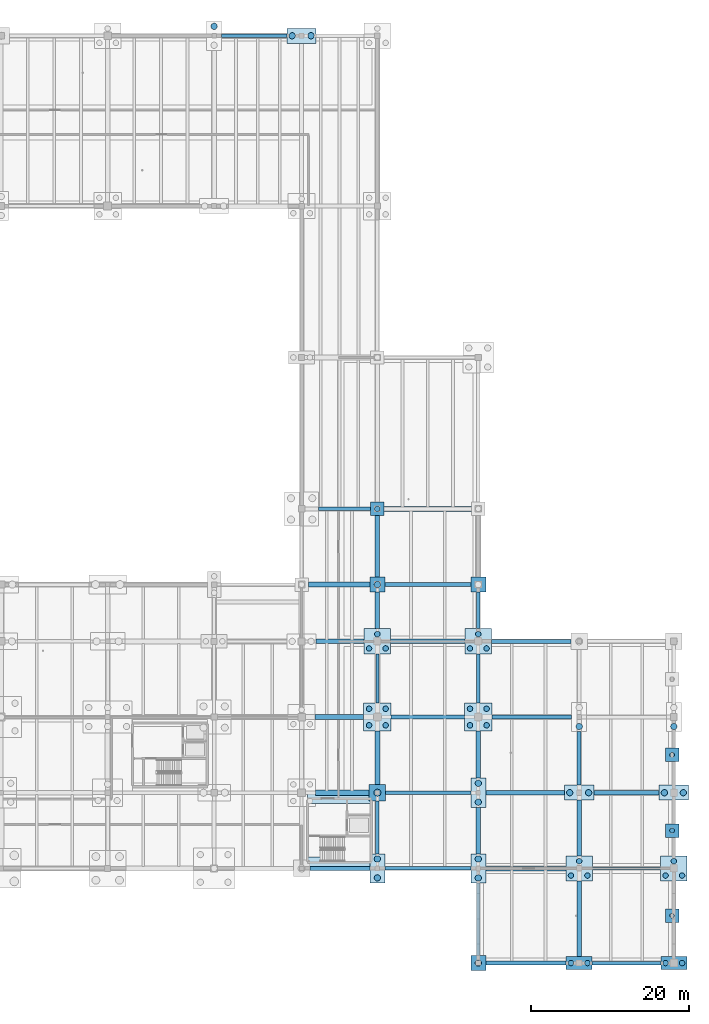
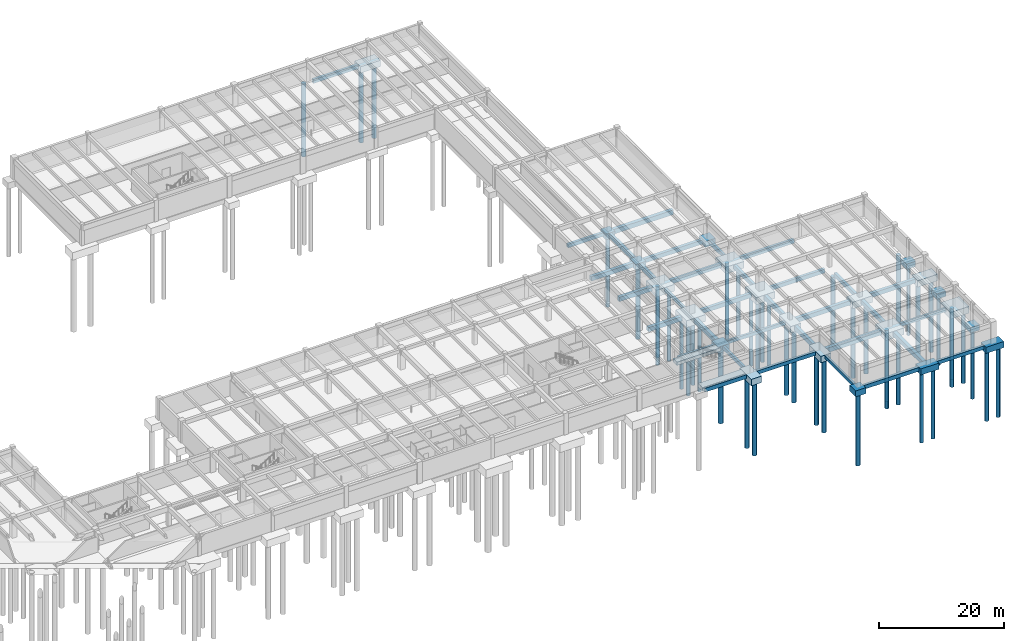
# One storey, part 5 of 41: 58 footings, 46 piles.
"""IFC4 building model written with IfcOpenShell, lengths in metres."""

from ifc_helpers import new_model, si_unit, direction, frame, origin, origin_2d, place, context, subcontext, project, spatial, rectangle, circle, extrude, material, material_profile, profile_set, type_object, element, save


model = new_model("IFC4")

# Units and contexts
model_context = context("Model", 3, precision=1e-05, world=origin(), true_north=direction((0.0, 1.0)))
body_context = subcontext(model_context, "Body", "Model", "MODEL_VIEW")
ifc_project = project(units=[si_unit("LENGTHUNIT", "METRE"), si_unit("AREAUNIT", "SQUARE_METRE"), si_unit("VOLUMEUNIT", "CUBIC_METRE"), si_unit("PLANEANGLEUNIT", "RADIAN"), si_unit("MASSUNIT", "GRAM", prefix="KILO")], contexts=[model_context])

# Site, building, storey
site_placement = place(None, origin())
site = spatial("IfcSite", under=ifc_project, at=site_placement, CompositionType="ELEMENT")
building_placement = place(site_placement, origin())
building = spatial("IfcBuilding", under=site, at=building_placement, Name="Fikremerkos Civic Library", CompositionType="ELEMENT")
storey_placement = place(building_placement, frame((0.0, 0.0, -8.39990234375)))
storey = spatial("IfcBuildingStorey", under=building, at=storey_placement, Name="B02", CompositionType="ELEMENT", Elevation=-8.39990234375)

# Piles
ifc_material_1 = material(Name="Concrete C35/45", Category="concrete")
ifc_material_profile_1 = material_profile(ifc_material_1, circle(Radius=0.300048828125, at=origin_2d()), Name="BORED PILE 600")
ifc_profile_set_1 = profile_set([ifc_material_profile_1], Name="Concrete C35/45")
pile_type_1 = type_object("IfcPileType", Name="Bored concrete pile PL-600 D600", PredefinedType="BORED", material=ifc_profile_set_1)
for number, where, z_axis, x_axis, name in (
    (1, (171.780029296875, 6.0, -0.9501953125), (0.0, 0.0, -1.0), (1.0, 0.0, 0.0), "Bored pile PL-600 under CAP-PIL-E1"),
    (2, (171.780029296875, 16.800048828125, -0.9501953125), (0.0, 0.0, -1.0), (1.0, 0.0, 0.0), "Bored pile PL-600 under CAP-PIL-E2"),
    (3, (171.780029296875, 26.39990234375, -0.9501953125), (0.0, 0.0, -1.0), (1.0, 0.0, 0.0), "Bored pile PL-600 under CAP-PIL-E3"),
):
    element("IfcPile", number, at=place(storey_placement, frame(where, z_axis=z_axis, x_axis=x_axis)), inside=storey, type_object=pile_type_1, Name=name, PredefinedType="BORED", context=body_context, shape_type="SweptSolid", body=[
        extrude(circle(Radius=0.300048828125, at=origin_2d()), origin(), (0.0, 0.0, 1.0), 13.60009765625),
    ])
ifc_material_profile_2 = material_profile(ifc_material_1, circle(Radius=0.35009765625, at=origin_2d()), Name="BORED PILE 700")
ifc_profile_set_2 = profile_set([ifc_material_profile_2], Name="Concrete C35/45")
pile_type_2 = type_object("IfcPileType", Name="Bored concrete pile PL-700 D700", PredefinedType="BORED", material=ifc_profile_set_2)
for number, where, z_axis, x_axis, name in (
    (4, (133.35009765625, 30.14990234375, -1.25), (0.0, 0.0, -1.0), (1.0, 0.0, 0.0), "Bored pile PL-700 under CAP-12-G #1"),
    (5, (135.449951171875, 30.14990234375, -1.25), (0.0, 0.0, -1.0), (1.0, 0.0, 0.0), "Bored pile PL-700 under CAP-12-G #2"),
    (6, (133.35009765625, 32.25, -1.25), (0.0, 0.0, -1.0), (1.0, 0.0, 0.0), "Bored pile PL-700 under CAP-12-G #3"),
    (7, (135.449951171875, 32.25, -1.25), (0.0, 0.0, -1.0), (1.0, 0.0, 0.0), "Bored pile PL-700 under CAP-12-G #4"),
    (8, (133.35009765625, 39.89990234375, -1.2001953125), (0.0, 0.0, -1.0), (1.0, 0.0, 0.0), "Bored pile PL-700 under CAP-12-H #1"),
    (9, (135.449951171875, 39.89990234375, -1.2001953125), (0.0, 0.0, -1.0), (1.0, 0.0, 0.0), "Bored pile PL-700 under CAP-12-H #2"),
    (10, (134.39990234375, 41.719970703125, -1.2001953125), (0.0, 0.0, -1.0), (1.0, 0.0, 0.0), "Bored pile PL-700 under CAP-12-H #3"),
    (11, (134.39990234375, 57.60009765625, -1.0), (0.0, 0.0, -1.0), (1.0, 0.0, 0.0), "Bored pile PL-700 under CAP-12-K #1"),
    (12, (146.14990234375, 30.14990234375, -1.25), (0.0, 0.0, -1.0), (1.0, 0.0, 0.0), "Bored pile PL-700 under CAP-13-G #1"),
    (13, (148.25, 30.14990234375, -1.25), (0.0, 0.0, -1.0), (1.0, 0.0, 0.0), "Bored pile PL-700 under CAP-13-G #2"),
    (14, (146.14990234375, 32.25, -1.25), (0.0, 0.0, -1.0), (1.0, 0.0, 0.0), "Bored pile PL-700 under CAP-13-G #3"),
    (15, (148.25, 32.25, -1.25), (0.0, 0.0, -1.0), (1.0, 0.0, 0.0), "Bored pile PL-700 under CAP-13-G #4"),
    (16, (146.14990234375, 39.89990234375, -1.2001953125), (0.0, 0.0, -1.0), (1.0, 0.0, 0.0), "Bored pile PL-700 under CAP-13-H #1"),
    (17, (148.25, 39.89990234375, -1.2001953125), (0.0, 0.0, -1.0), (1.0, 0.0, 0.0), "Bored pile PL-700 under CAP-13-H #2"),
    (18, (147.199951171875, 41.719970703125, -1.2001953125), (0.0, 0.0, -1.0), (1.0, 0.0, 0.0), "Bored pile PL-700 under CAP-13-H #3"),
    (19, (158.949951171875, 0.0, -1.10009765625), (0.0, 0.0, -1.0), (1.0, 0.0, 0.0), "Bored pile PL-700 under CAP-14-A #1"),
    (20, (161.050048828125, 0.0, -1.10009765625), (0.0, 0.0, -1.0), (1.0, 0.0, 0.0), "Bored pile PL-700 under CAP-14-A #2"),
    (21, (158.949951171875, 11.10009765625, -1.2001953125), (0.0, 0.0, -1.0), (1.0, 0.0, 0.0), "Bored pile PL-700 under CAP-14-E #1"),
    (22, (161.050048828125, 11.10009765625, -1.2001953125), (0.0, 0.0, -1.0), (1.0, 0.0, 0.0), "Bored pile PL-700 under CAP-14-E #2"),
    (23, (160.0, 12.919921875, -1.2001953125), (0.0, 0.0, -1.0), (1.0, 0.0, 0.0), "Bored pile PL-700 under CAP-14-E #3"),
    (24, (170.949951171875, 0.0, -1.10009765625), (0.0, 0.0, -1.0), (1.0, 0.0, 0.0), "Bored pile PL-700 under CAP-15-A #1"),
    (25, (173.050048828125, 0.0, -1.10009765625), (0.0, 0.0, -1.0), (1.0, 0.0, 0.0), "Bored pile PL-700 under CAP-15-A #2"),
    (26, (170.949951171875, 11.10009765625, -1.2001953125), (0.0, 0.0, -1.0), (1.0, 0.0, 0.0), "Bored pile PL-700 under CAP-15-E #1"),
    (27, (173.050048828125, 11.10009765625, -1.2001953125), (0.0, 0.0, -1.0), (1.0, 0.0, 0.0), "Bored pile PL-700 under CAP-15-E #2"),
    (28, (172.0, 12.919921875, -1.2001953125), (0.0, 0.0, -1.0), (1.0, 0.0, 0.0), "Bored pile PL-700 under CAP-15-E #3"),
):
    element("IfcPile", number, at=place(storey_placement, frame(where, z_axis=z_axis, x_axis=x_axis)), inside=storey, type_object=pile_type_2, Name=name, PredefinedType="BORED", context=body_context, shape_type="SweptSolid", body=[
        extrude(circle(Radius=0.35009765625, at=origin_2d()), origin(), (0.0, 0.0, 1.0), 13.800048828125),
    ])
ifc_material_profile_3 = material_profile(ifc_material_1, circle(Radius=0.39990234375, at=origin_2d()), Name="BORED PILE 800")
ifc_profile_set_3 = profile_set([ifc_material_profile_3], Name="Concrete C35/45")
pile_type_3 = type_object("IfcPileType", Name="Bored concrete pile PL-800 D800", PredefinedType="BORED", material=ifc_profile_set_3)
for number, where, z_axis, x_axis, name in (
    (29, (113.699951171875, 118.800048828125, -1.150146484375), (0.0, 0.0, -1.0), (1.0, 0.0, 0.0), "Bored pile PL-800 under CAP-10-N #2"),
    (30, (123.60009765625, 117.60009765625, -1.150146484375), (0.0, 0.0, -1.0), (1.0, 0.0, 0.0), "Bored pile PL-800 under CAP-11-N #1"),
    (31, (126.0, 117.60009765625, -1.150146484375), (0.0, 0.0, -1.0), (1.0, 0.0, 0.0), "Bored pile PL-800 under CAP-11-N #2"),
    (32, (134.39990234375, 10.800048828125, -1.150146484375), (0.0, 0.0, -1.0), (1.0, 0.0, 0.0), "Bored pile PL-800 under CAP-12-E #1"),
    (33, (134.39990234375, 13.199951171875, -1.150146484375), (0.0, 0.0, -1.0), (1.0, 0.0, 0.0), "Bored pile PL-800 under CAP-12-E #2"),
    (34, (134.39990234375, 48.0, -1.050048828125), (0.0, 0.0, -1.0), (1.0, 0.0, 0.0), "Bored pile PL-800 under CAP-12-J #1"),
    (35, (147.199951171875, 0.0, -1.050048828125), (0.0, 0.0, -1.0), (1.0, 0.0, 0.0), "Bored pile PL-800 under CAP-13-A #1"),
    (36, (147.199951171875, 10.800048828125, -1.150146484375), (0.0, 0.0, -1.0), (1.0, 0.0, 0.0), "Bored pile PL-800 under CAP-13-E #1"),
    (37, (147.199951171875, 13.199951171875, -1.150146484375), (0.0, 0.0, -1.0), (1.0, 0.0, 0.0), "Bored pile PL-800 under CAP-13-E #2"),
    (38, (147.199951171875, 20.39990234375, -1.150146484375), (0.0, 0.0, -1.0), (1.0, 0.0, 0.0), "Bored pile PL-800 under CAP-13-F #1"),
    (39, (147.199951171875, 22.800048828125, -1.150146484375), (0.0, 0.0, -1.0), (1.0, 0.0, 0.0), "Bored pile PL-800 under CAP-13-F #2"),
    (40, (158.800048828125, 21.60009765625, -1.150146484375), (0.0, 0.0, -1.0), (1.0, 0.0, 0.0), "Bored pile PL-800 under CAP-14-F #1"),
    (41, (161.199951171875, 21.60009765625, -1.150146484375), (0.0, 0.0, -1.0), (1.0, 0.0, 0.0), "Bored pile PL-800 under CAP-14-F #2"),
    (42, (160.0, 30.0, -1.150146484375), (0.0, 0.0, -1.0), (1.0, 0.0, 0.0), "Bored pile PL-800 under CAP-14-G #1"),
    (43, (170.800048828125, 21.60009765625, -1.150146484375), (0.0, 0.0, -1.0), (1.0, 0.0, 0.0), "Bored pile PL-800 under CAP-15-F #1"),
    (44, (173.199951171875, 21.60009765625, -1.150146484375), (0.0, 0.0, -1.0), (1.0, 0.0, 0.0), "Bored pile PL-800 under CAP-15-F #2"),
    (45, (172.0, 30.0, -1.150146484375), (0.0, 0.0, -1.0), (1.0, 0.0, 0.0), "Bored pile PL-800 under CAP-15-G #1"),
):
    element("IfcPile", number, at=place(storey_placement, frame(where, z_axis=z_axis, x_axis=x_axis)), inside=storey, type_object=pile_type_3, Name=name, PredefinedType="BORED", context=body_context, shape_type="SweptSolid", body=[
        extrude(circle(Radius=0.39990234375, at=origin_2d()), origin(), (0.0, 0.0, 1.0), 14.199951171875),
    ])
ifc_material_profile_4 = material_profile(ifc_material_1, circle(Radius=0.449951171875, at=origin_2d()), Name="BORED PILE 900")
ifc_profile_set_4 = profile_set([ifc_material_profile_4], Name="Concrete C35/45")
pile_type_4 = type_object("IfcPileType", Name="Bored concrete pile PL-900 D900", PredefinedType="BORED", material=ifc_profile_set_4)
pile_placement = place(storey_placement, frame((134.39990234375, 21.60009765625, -1.10009765625), z_axis=(0.0, 0.0, -1.0), x_axis=(1.0, 0.0, 0.0)))
element("IfcPile", 46, at=pile_placement, inside=storey, type_object=pile_type_4, Name="Bored pile PL-900 under CAP-12-F #1", PredefinedType="BORED", context=body_context, shape_type="SweptSolid", body=[
    extrude(circle(Radius=0.449951171875, at=origin_2d()), origin(), (0.0, 0.0, 1.0), 14.5),
])

# Footings
ifc_material_2 = material(Name="Concrete C40/50", Category="concrete")
footing_type_1 = type_object("IfcFootingType", Name="Bored pile cap PC-01 1700x1700x1100", PredefinedType="PILE_CAP", material=ifc_material_2)
footing_1_placement = place(storey_placement, frame((134.39990234375, 57.60009765625, -1.10009765625), z_axis=(0.0, 0.0, 1.0), x_axis=(1.0, 0.0, 0.0)))
element("IfcFooting", 47, at=footing_1_placement, inside=storey, type_object=footing_type_1, Name="Pile cap PC-01 at 12/K", PredefinedType="PILE_CAP", context=body_context, shape_type="SweptSolid", body=[
    extrude(rectangle(XDim=1.699951171875, YDim=1.699951171875, at=origin_2d()), origin(), (0.0, 0.0, 1.0), 1.10009765625),
])
footing_type_2 = type_object("IfcFootingType", Name="Bored pile cap PC-02 1900x1900x1150", PredefinedType="PILE_CAP", material=ifc_material_2)
for number, where, z_axis, x_axis, name in (
    (48, (134.39990234375, 48.0, -1.150146484375), (0.0, 0.0, 1.0), (1.0, 0.0, 0.0), "Pile cap PC-02 at 12/J"),
    (49, (147.199951171875, 0.0, -1.150146484375), (0.0, 0.0, 1.0), (1.0, 0.0, 0.0), "Pile cap PC-02 at 13/A"),
    (50, (147.199951171875, 48.0, -1.150146484375), (0.0, 0.0, 1.0), (1.0, 0.0, 0.0), "Pile cap PC-02 at 13/J"),
):
    element("IfcFooting", number, at=place(storey_placement, frame(where, z_axis=z_axis, x_axis=x_axis)), inside=storey, type_object=footing_type_2, Name=name, PredefinedType="PILE_CAP", context=body_context, shape_type="SweptSolid", body=[
        extrude(rectangle(XDim=1.89990234375, YDim=1.89990234375, at=origin_2d()), origin(), (0.0, 0.0, 1.0), 1.14990234375),
    ])
footing_type_3 = type_object("IfcFootingType", Name="Bored pile cap PC-03 3300x1700x1200", PredefinedType="PILE_CAP", material=ifc_material_2)
for number, where, z_axis, x_axis, name in (
    (51, (160.0, 0.0, -1.2001953125), (0.0, 0.0, 1.0), (1.0, 0.0, 0.0), "Pile cap PC-03 at 14/A"),
    (52, (172.0, 0.0, -1.2001953125), (0.0, 0.0, 1.0), (1.0, 0.0, 0.0), "Pile cap PC-03 at 15/A"),
):
    element("IfcFooting", number, at=place(storey_placement, frame(where, z_axis=z_axis, x_axis=x_axis)), inside=storey, type_object=footing_type_3, Name=name, PredefinedType="PILE_CAP", context=body_context, shape_type="SweptSolid", body=[
        extrude(rectangle(XDim=3.300048828125, YDim=1.699951171875, at=origin_2d()), origin(), (0.0, 0.0, 1.0), 1.199951171875),
    ])
footing_type_4 = type_object("IfcFootingType", Name="Bored pile cap PC-05 3700x1900x1250", PredefinedType="PILE_CAP", material=ifc_material_2)
for number, where, z_axis, x_axis, name in (
    (53, (124.800048828125, 117.60009765625, -1.25), (0.0, 0.0, 1.0), (1.0, 0.0, 0.0), "Pile cap PC-05 at 11/N"),
    (54, (160.0, 21.60009765625, -1.25), (0.0, 0.0, 1.0), (1.0, 0.0, 0.0), "Pile cap PC-05 at 14/F"),
    (55, (172.0, 21.60009765625, -1.25), (0.0, 0.0, 1.0), (1.0, 0.0, 0.0), "Pile cap PC-05 at 15/F"),
):
    element("IfcFooting", number, at=place(storey_placement, frame(where, z_axis=z_axis, x_axis=x_axis)), inside=storey, type_object=footing_type_4, Name=name, PredefinedType="PILE_CAP", context=body_context, shape_type="SweptSolid", body=[
        extrude(rectangle(XDim=3.699951171875, YDim=1.89990234375, at=origin_2d()), origin(), (0.0, 0.0, 1.0), 1.25),
    ])
footing_type_5 = type_object("IfcFootingType", Name="Bored pile cap PC-06 1900x3700x1250", PredefinedType="PILE_CAP", material=ifc_material_2)
for number, where, z_axis, x_axis, name in (
    (56, (134.39990234375, 12.0, -1.25), (0.0, 0.0, 1.0), (1.0, 0.0, 0.0), "Pile cap PC-06 at 12/E"),
    (57, (147.199951171875, 12.0, -1.25), (0.0, 0.0, 1.0), (1.0, 0.0, 0.0), "Pile cap PC-06 at 13/E"),
    (58, (147.199951171875, 21.60009765625, -1.25), (0.0, 0.0, 1.0), (1.0, 0.0, 0.0), "Pile cap PC-06 at 13/F"),
):
    element("IfcFooting", number, at=place(storey_placement, frame(where, z_axis=z_axis, x_axis=x_axis)), inside=storey, type_object=footing_type_5, Name=name, PredefinedType="PILE_CAP", context=body_context, shape_type="SweptSolid", body=[
        extrude(rectangle(XDim=1.89990234375, YDim=3.699951171875, at=origin_2d()), origin(), (0.0, 0.0, 1.0), 1.25),
    ])
footing_type_6 = type_object("IfcFootingType", Name="Bored pile cap PC-08 3400x3200x1300", PredefinedType="PILE_CAP", material=ifc_material_2)
for number, where, z_axis, x_axis, name in (
    (59, (134.39990234375, 40.800048828125, -1.30029296875), (0.0, 0.0, 1.0), (1.0, 0.0, 0.0), "Pile cap PC-08 at 12/H"),
    (60, (147.199951171875, 40.800048828125, -1.30029296875), (0.0, 0.0, 1.0), (1.0, 0.0, 0.0), "Pile cap PC-08 at 13/H"),
    (61, (160.0, 12.0, -1.30029296875), (0.0, 0.0, 1.0), (1.0, 0.0, 0.0), "Pile cap PC-08 at 14/E"),
    (62, (172.0, 12.0, -1.30029296875), (0.0, 0.0, 1.0), (1.0, 0.0, 0.0), "Pile cap PC-08 at 15/E"),
):
    element("IfcFooting", number, at=place(storey_placement, frame(where, z_axis=z_axis, x_axis=x_axis)), inside=storey, type_object=footing_type_6, Name=name, PredefinedType="PILE_CAP", context=body_context, shape_type="SweptSolid", body=[
        extrude(rectangle(XDim=3.39990234375, YDim=3.199951171875, at=origin_2d()), origin(), (0.0, 0.0, 1.0), 1.300048828125),
    ])
footing_type_7 = type_object("IfcFootingType", Name="Bored pile cap PC-10 3500x3500x1350", PredefinedType="PILE_CAP", material=ifc_material_2)
for number, where, z_axis, x_axis, name in (
    (63, (134.39990234375, 31.199951171875, -1.35009765625), (0.0, 0.0, 1.0), (1.0, 0.0, 0.0), "Pile cap PC-10 at 12/G"),
    (64, (147.199951171875, 31.199951171875, -1.35009765625), (0.0, 0.0, 1.0), (1.0, 0.0, 0.0), "Pile cap PC-10 at 13/G"),
):
    element("IfcFooting", number, at=place(storey_placement, frame(where, z_axis=z_axis, x_axis=x_axis)), inside=storey, type_object=footing_type_7, Name=name, PredefinedType="PILE_CAP", context=body_context, shape_type="SweptSolid", body=[
        extrude(rectangle(XDim=3.5, YDim=3.5, at=origin_2d()), origin(), (0.0, 0.0, 1.0), 1.35009765625),
    ])
footing_type_8 = type_object("IfcFootingType", Name="Bored pile cap PC-17 2100x2100x1200", PredefinedType="PILE_CAP", material=ifc_material_2)
footing_2_placement = place(storey_placement, frame((134.39990234375, 21.60009765625, -1.2001953125), z_axis=(0.0, 0.0, 1.0), x_axis=(1.0, 0.0, 0.0)))
element("IfcFooting", 65, at=footing_2_placement, inside=storey, type_object=footing_type_8, Name="Pile cap PC-17 at 12/F", PredefinedType="PILE_CAP", context=body_context, shape_type="SweptSolid", body=[
    extrude(rectangle(XDim=2.10009765625, YDim=2.10009765625, at=origin_2d()), origin(), (0.0, 0.0, 1.0), 1.199951171875),
])
footing_type_9 = type_object("IfcFootingType", Name="Bored pile cap PC-21 1700x1700x1050", PredefinedType="PILE_CAP", material=ifc_material_2)
for number, where, z_axis, x_axis, name in (
    (66, (171.780029296875, 6.0, -1.05029296875), (0.0, 0.0, 1.0), (1.0, 0.0, 0.0), "Pilaster pile cap PC-21 at E1"),
    (67, (171.780029296875, 16.800048828125, -1.05029296875), (0.0, 0.0, 1.0), (1.0, 0.0, 0.0), "Pilaster pile cap PC-21 at E2"),
    (68, (171.780029296875, 26.39990234375, -1.05029296875), (0.0, 0.0, 1.0), (1.0, 0.0, 0.0), "Pilaster pile cap PC-21 at E3"),
):
    element("IfcFooting", number, at=place(storey_placement, frame(where, z_axis=z_axis, x_axis=x_axis)), inside=storey, type_object=footing_type_9, Name=name, PredefinedType="PILE_CAP", context=body_context, shape_type="SweptSolid", body=[
        extrude(rectangle(XDim=1.699951171875, YDim=1.699951171875, at=origin_2d()), origin(), (0.0, 0.0, 1.0), 1.050048828125),
    ])
footing_type_10 = type_object("IfcFootingType", Name="Foundation tie beam FTB-01 600x850", PredefinedType="FOOTING_BEAM", material=ifc_material_2)
footing_3_placement = place(storey_placement, frame((153.14990234375, 21.60009765625, -0.900146484375), z_axis=(0.0, 0.0, 1.0), x_axis=(1.0, 0.0, 0.0)))
element("IfcFooting", 69, at=footing_3_placement, inside=storey, type_object=footing_type_10, Name="Foundation tie beam FTB-01 on grid F", PredefinedType="FOOTING_BEAM", context=body_context, shape_type="SweptSolid", body=[
    extrude(rectangle(XDim=10.0, YDim=0.60009765625, at=origin_2d()), origin(), (0.0, 0.0, 1.0), 0.85009765625),
])
footing_4_placement = place(storey_placement, frame((129.574951171875, 31.199951171875, -0.900146484375), z_axis=(0.0, 0.0, 1.0), x_axis=(1.0, 0.0, 0.0)))
element("IfcFooting", 70, at=footing_4_placement, inside=storey, type_object=footing_type_10, Name="Foundation tie beam FTB-01 on grid G", PredefinedType="FOOTING_BEAM", context=body_context, shape_type="SweptSolid", body=[
    extrude(rectangle(XDim=6.14990234375, YDim=0.60009765625, at=origin_2d()), origin(), (0.0, 0.0, 1.0), 0.85009765625),
])
footing_5_placement = place(storey_placement, frame((129.675048828125, 40.800048828125, -0.900146484375), z_axis=(0.0, 0.0, 1.0), x_axis=(1.0, 0.0, 0.0)))
element("IfcFooting", 71, at=footing_5_placement, inside=storey, type_object=footing_type_10, Name="Foundation tie beam FTB-01 on grid H", PredefinedType="FOOTING_BEAM", context=body_context, shape_type="SweptSolid", body=[
    extrude(rectangle(XDim=6.050048828125, YDim=0.60009765625, at=origin_2d()), origin(), (0.0, 0.0, 1.0), 0.85009765625),
])
footing_6_placement = place(storey_placement, frame((129.550048828125, 48.0, -0.900146484375), z_axis=(0.0, 0.0, 1.0), x_axis=(1.0, 0.0, 0.0)))
element("IfcFooting", 72, at=footing_6_placement, inside=storey, type_object=footing_type_10, Name="Foundation tie beam FTB-01 on grid J", PredefinedType="FOOTING_BEAM", context=body_context, shape_type="SweptSolid", body=[
    extrude(rectangle(XDim=7.800048828125, YDim=0.60009765625, at=origin_2d()), origin(), (0.0, 0.0, 1.0), 0.85009765625),
])
footing_7_placement = place(storey_placement, frame((134.39990234375, 44.72509765625, -0.900146484375), z_axis=(0.0, 0.0, 1.0), x_axis=(0.0, 1.0, 0.0)))
element("IfcFooting", 73, at=footing_7_placement, inside=storey, type_object=footing_type_10, Name="Foundation tie beam FTB-01 on grid 12", PredefinedType="FOOTING_BEAM", context=body_context, shape_type="SweptSolid", body=[
    extrude(rectangle(XDim=4.64990234375, YDim=0.60009765625, at=origin_2d()), origin(), (0.0, 0.0, 1.0), 0.85009765625),
])
footing_8_placement = place(storey_placement, frame((147.199951171875, 16.800048828125, -0.900146484375), z_axis=(0.0, 0.0, 1.0), x_axis=(0.0, 1.0, 0.0)))
element("IfcFooting", 74, at=footing_8_placement, inside=storey, type_object=footing_type_10, Name="Foundation tie beam FTB-01 on grid 13", PredefinedType="FOOTING_BEAM", context=body_context, shape_type="SweptSolid", body=[
    extrude(rectangle(XDim=5.89990234375, YDim=0.60009765625, at=origin_2d()), origin(), (0.0, 0.0, 1.0), 0.85009765625),
])
footing_9_placement = place(storey_placement, frame((160.0, 5.625, -0.900146484375), z_axis=(0.0, 0.0, 1.0), x_axis=(0.0, 1.0, 0.0)))
element("IfcFooting", 75, at=footing_9_placement, inside=storey, type_object=footing_type_10, Name="Foundation tie beam FTB-01 on grid 14", PredefinedType="FOOTING_BEAM", context=body_context, shape_type="SweptSolid", body=[
    extrude(rectangle(XDim=9.550048828125, YDim=0.60009765625, at=origin_2d()), origin(), (0.0, 0.0, 1.0), 0.85009765625),
])
footing_type_11 = type_object("IfcFootingType", Name="Foundation tie beam FTB-02 550x800", PredefinedType="FOOTING_BEAM", material=ifc_material_2)
footing_10_placement = place(storey_placement, frame((166.0, 21.60009765625, -0.85009765625), z_axis=(0.0, 0.0, 1.0), x_axis=(1.0, 0.0, 0.0)))
element("IfcFooting", 76, at=footing_10_placement, inside=storey, type_object=footing_type_11, Name="Foundation tie beam FTB-02 on grid F", PredefinedType="FOOTING_BEAM", context=body_context, shape_type="SweptSolid", body=[
    extrude(rectangle(XDim=8.300048828125, YDim=0.550048828125, at=origin_2d()), origin(), (0.0, 0.0, 1.0), 0.800048828125),
])
footing_11_placement = place(storey_placement, frame((140.800048828125, 31.199951171875, -0.85009765625), z_axis=(0.0, 0.0, 1.0), x_axis=(1.0, 0.0, 0.0)))
element("IfcFooting", 77, at=footing_11_placement, inside=storey, type_object=footing_type_11, Name="Foundation tie beam FTB-02 on grid G", PredefinedType="FOOTING_BEAM", context=body_context, shape_type="SweptSolid", body=[
    extrude(rectangle(XDim=9.300048828125, YDim=0.550048828125, at=origin_2d()), origin(), (0.0, 0.0, 1.0), 0.800048828125),
])
footing_12_placement = place(storey_placement, frame((140.800048828125, 40.800048828125, -0.85009765625), z_axis=(0.0, 0.0, 1.0), x_axis=(1.0, 0.0, 0.0)))
element("IfcFooting", 78, at=footing_12_placement, inside=storey, type_object=footing_type_11, Name="Foundation tie beam FTB-02 on grid H", PredefinedType="FOOTING_BEAM", context=body_context, shape_type="SweptSolid", body=[
    extrude(rectangle(XDim=9.39990234375, YDim=0.550048828125, at=origin_2d()), origin(), (0.0, 0.0, 1.0), 0.800048828125),
])
footing_13_placement = place(storey_placement, frame((140.800048828125, 48.0, -0.85009765625), z_axis=(0.0, 0.0, 1.0), x_axis=(1.0, 0.0, 0.0)))
element("IfcFooting", 79, at=footing_13_placement, inside=storey, type_object=footing_type_11, Name="Foundation tie beam FTB-02 on grid J", PredefinedType="FOOTING_BEAM", context=body_context, shape_type="SweptSolid", body=[
    extrude(rectangle(XDim=10.89990234375, YDim=0.550048828125, at=origin_2d()), origin(), (0.0, 0.0, 1.0), 0.800048828125),
])
footing_14_placement = place(storey_placement, frame((134.39990234375, 52.85009765625, -0.85009765625), z_axis=(0.0, 0.0, 1.0), x_axis=(0.0, 1.0, 0.0)))
element("IfcFooting", 80, at=footing_14_placement, inside=storey, type_object=footing_type_11, Name="Foundation tie beam FTB-02 on grid 12", PredefinedType="FOOTING_BEAM", context=body_context, shape_type="SweptSolid", body=[
    extrude(rectangle(XDim=7.800048828125, YDim=0.550048828125, at=origin_2d()), origin(), (0.0, 0.0, 1.0), 0.800048828125),
])
footing_15_placement = place(storey_placement, frame((147.199951171875, 26.449951171875, -0.85009765625), z_axis=(0.0, 0.0, 1.0), x_axis=(0.0, 1.0, 0.0)))
element("IfcFooting", 81, at=footing_15_placement, inside=storey, type_object=footing_type_11, Name="Foundation tie beam FTB-02 on grid 13", PredefinedType="FOOTING_BEAM", context=body_context, shape_type="SweptSolid", body=[
    extrude(rectangle(XDim=6.0, YDim=0.550048828125, at=origin_2d()), origin(), (0.0, 0.0, 1.0), 0.800048828125),
])
footing_16_placement = place(storey_placement, frame((160.0, 17.125, -0.85009765625), z_axis=(0.0, 0.0, 1.0), x_axis=(0.0, 1.0, 0.0)))
element("IfcFooting", 82, at=footing_16_placement, inside=storey, type_object=footing_type_11, Name="Foundation tie beam FTB-02 on grid 14", PredefinedType="FOOTING_BEAM", context=body_context, shape_type="SweptSolid", body=[
    extrude(rectangle(XDim=7.050048828125, YDim=0.550048828125, at=origin_2d()), origin(), (0.0, 0.0, 1.0), 0.800048828125),
])
footing_type_12 = type_object("IfcFootingType", Name="Foundation tie beam FTB-03 500x750", PredefinedType="FOOTING_BEAM", material=ifc_material_2)
footing_17_placement = place(storey_placement, frame((153.25, 0.0, -0.800048828125), z_axis=(0.0, 0.0, 1.0), x_axis=(1.0, 0.0, 0.0)))
element("IfcFooting", 83, at=footing_17_placement, inside=storey, type_object=footing_type_12, Name="Foundation tie beam FTB-03 on grid A", PredefinedType="FOOTING_BEAM", context=body_context, shape_type="SweptSolid", body=[
    extrude(rectangle(XDim=10.199951171875, YDim=0.5, at=origin_2d()), origin(), (0.0, 0.0, 1.0), 0.75),
])
footing_18_placement = place(storey_placement, frame((129.64990234375, 12.0, -0.800048828125), z_axis=(0.0, 0.0, 1.0), x_axis=(1.0, 0.0, 0.0)))
element("IfcFooting", 84, at=footing_18_placement, inside=storey, type_object=footing_type_12, Name="Foundation tie beam FTB-03 on grid E", PredefinedType="FOOTING_BEAM", context=body_context, shape_type="SweptSolid", body=[
    extrude(rectangle(XDim=7.60009765625, YDim=0.5, at=origin_2d()), origin(), (0.0, 0.0, 1.0), 0.75),
])
footing_19_placement = place(storey_placement, frame((154.0, 31.199951171875, -0.800048828125), z_axis=(0.0, 0.0, 1.0), x_axis=(1.0, 0.0, 0.0)))
element("IfcFooting", 85, at=footing_19_placement, inside=storey, type_object=footing_type_12, Name="Foundation tie beam FTB-03 on grid G", PredefinedType="FOOTING_BEAM", context=body_context, shape_type="SweptSolid", body=[
    extrude(rectangle(XDim=10.10009765625, YDim=0.5, at=origin_2d()), origin(), (0.0, 0.0, 1.0), 0.75),
])
footing_20_placement = place(storey_placement, frame((153.925048828125, 40.800048828125, -0.800048828125), z_axis=(0.0, 0.0, 1.0), x_axis=(1.0, 0.0, 0.0)))
element("IfcFooting", 86, at=footing_20_placement, inside=storey, type_object=footing_type_12, Name="Foundation tie beam FTB-03 on grid H", PredefinedType="FOOTING_BEAM", context=body_context, shape_type="SweptSolid", body=[
    extrude(rectangle(XDim=10.050048828125, YDim=0.5, at=origin_2d()), origin(), (0.0, 0.0, 1.0), 0.75),
])
footing_21_placement = place(storey_placement, frame((118.800048828125, 117.60009765625, -0.800048828125), z_axis=(0.0, 0.0, 1.0), x_axis=(1.0, 0.0, 0.0)))
element("IfcFooting", 87, at=footing_21_placement, inside=storey, type_object=footing_type_12, Name="Foundation tie beam FTB-03 on grid N", PredefinedType="FOOTING_BEAM", context=body_context, shape_type="SweptSolid", body=[
    extrude(rectangle(XDim=8.300048828125, YDim=0.5, at=origin_2d()), origin(), (0.0, 0.0, 1.0), 0.75),
])
footing_22_placement = place(storey_placement, frame((147.199951171875, 36.074951171875, -0.800048828125), z_axis=(0.0, 0.0, 1.0), x_axis=(0.0, 1.0, 0.0)))
element("IfcFooting", 88, at=footing_22_placement, inside=storey, type_object=footing_type_12, Name="Foundation tie beam FTB-03 on grid 13", PredefinedType="FOOTING_BEAM", context=body_context, shape_type="SweptSolid", body=[
    extrude(rectangle(XDim=6.25, YDim=0.5, at=origin_2d()), origin(), (0.0, 0.0, 1.0), 0.75),
])
footing_23_placement = place(storey_placement, frame((160.0, 25.949951171875, -0.800048828125), z_axis=(0.0, 0.0, 1.0), x_axis=(0.0, 1.0, 0.0)))
element("IfcFooting", 89, at=footing_23_placement, inside=storey, type_object=footing_type_12, Name="Foundation tie beam FTB-03 on grid 14", PredefinedType="FOOTING_BEAM", context=body_context, shape_type="SweptSolid", body=[
    extrude(rectangle(XDim=6.800048828125, YDim=0.5, at=origin_2d()), origin(), (0.0, 0.0, 1.0), 0.75),
])
footing_type_13 = type_object("IfcFootingType", Name="Foundation tie beam FTB-04 450x700", PredefinedType="FOOTING_BEAM", material=ifc_material_2)
footing_24_placement = place(storey_placement, frame((166.0, 0.0, -0.75), z_axis=(0.0, 0.0, 1.0), x_axis=(1.0, 0.0, 0.0)))
element("IfcFooting", 90, at=footing_24_placement, inside=storey, type_object=footing_type_13, Name="Foundation tie beam FTB-04 on grid A", PredefinedType="FOOTING_BEAM", context=body_context, shape_type="SweptSolid", body=[
    extrude(rectangle(XDim=8.699951171875, YDim=0.449951171875, at=origin_2d()), origin(), (0.0, 0.0, 1.0), 0.699951171875),
])
footing_25_placement = place(storey_placement, frame((140.800048828125, 12.0, -0.75), z_axis=(0.0, 0.0, 1.0), x_axis=(1.0, 0.0, 0.0)))
element("IfcFooting", 91, at=footing_25_placement, inside=storey, type_object=footing_type_13, Name="Foundation tie beam FTB-04 on grid E", PredefinedType="FOOTING_BEAM", context=body_context, shape_type="SweptSolid", body=[
    extrude(rectangle(XDim=10.89990234375, YDim=0.449951171875, at=origin_2d()), origin(), (0.0, 0.0, 1.0), 0.699951171875),
])
footing_26_placement = place(storey_placement, frame((130.25, 57.60009765625, -0.75), z_axis=(0.0, 0.0, 1.0), x_axis=(1.0, 0.0, 0.0)))
element("IfcFooting", 92, at=footing_26_placement, inside=storey, type_object=footing_type_13, Name="Foundation tie beam FTB-04 on grid K", PredefinedType="FOOTING_BEAM", context=body_context, shape_type="SweptSolid", body=[
    extrude(rectangle(XDim=6.60009765625, YDim=0.449951171875, at=origin_2d()), origin(), (0.0, 0.0, 1.0), 0.699951171875),
])
footing_27_placement = place(storey_placement, frame((134.39990234375, 17.199951171875, -0.75), z_axis=(0.0, 0.0, 1.0), x_axis=(0.0, 1.0, 0.0)))
element("IfcFooting", 93, at=footing_27_placement, inside=storey, type_object=footing_type_13, Name="Foundation tie beam FTB-04 on grid 12", PredefinedType="FOOTING_BEAM", context=body_context, shape_type="SweptSolid", body=[
    extrude(rectangle(XDim=6.699951171875, YDim=0.449951171875, at=origin_2d()), origin(), (0.0, 0.0, 1.0), 0.699951171875),
])
footing_28_placement = place(storey_placement, frame((147.199951171875, 44.72509765625, -0.75), z_axis=(0.0, 0.0, 1.0), x_axis=(0.0, 1.0, 0.0)))
element("IfcFooting", 94, at=footing_28_placement, inside=storey, type_object=footing_type_13, Name="Foundation tie beam FTB-04 on grid 13", PredefinedType="FOOTING_BEAM", context=body_context, shape_type="SweptSolid", body=[
    extrude(rectangle(XDim=4.64990234375, YDim=0.449951171875, at=origin_2d()), origin(), (0.0, 0.0, 1.0), 0.699951171875),
])
footing_type_14 = type_object("IfcFootingType", Name="Foundation tie beam FTB-05 650x900", PredefinedType="FOOTING_BEAM", material=ifc_material_2)
footing_29_placement = place(storey_placement, frame((153.22509765625, 12.0, -0.949951171875), z_axis=(0.0, 0.0, 1.0), x_axis=(1.0, 0.0, 0.0)))
element("IfcFooting", 95, at=footing_29_placement, inside=storey, type_object=footing_type_14, Name="Foundation tie beam FTB-05 on grid E", PredefinedType="FOOTING_BEAM", context=body_context, shape_type="SweptSolid", body=[
    extrude(rectangle(XDim=10.14990234375, YDim=0.64990234375, at=origin_2d()), origin(), (0.0, 0.0, 1.0), 0.89990234375),
])
footing_30_placement = place(storey_placement, frame((129.949951171875, 21.60009765625, -0.949951171875), z_axis=(0.0, 0.0, 1.0), x_axis=(1.0, 0.0, 0.0)))
element("IfcFooting", 96, at=footing_30_placement, inside=storey, type_object=footing_type_14, Name="Foundation tie beam FTB-05 on grid F", PredefinedType="FOOTING_BEAM", context=body_context, shape_type="SweptSolid", body=[
    extrude(rectangle(XDim=6.800048828125, YDim=0.64990234375, at=origin_2d()), origin(), (0.0, 0.0, 1.0), 0.89990234375),
])
footing_31_placement = place(storey_placement, frame((140.800048828125, 57.60009765625, -0.949951171875), z_axis=(0.0, 0.0, 1.0), x_axis=(1.0, 0.0, 0.0)))
element("IfcFooting", 97, at=footing_31_placement, inside=storey, type_object=footing_type_14, Name="Foundation tie beam FTB-05 on grid K", PredefinedType="FOOTING_BEAM", context=body_context, shape_type="SweptSolid", body=[
    extrude(rectangle(XDim=11.10009765625, YDim=0.64990234375, at=origin_2d()), origin(), (0.0, 0.0, 1.0), 0.89990234375),
])
footing_32_placement = place(storey_placement, frame((134.39990234375, 26.050048828125, -0.949951171875), z_axis=(0.0, 0.0, 1.0), x_axis=(0.0, 1.0, 0.0)))
element("IfcFooting", 98, at=footing_32_placement, inside=storey, type_object=footing_type_14, Name="Foundation tie beam FTB-05 on grid 12", PredefinedType="FOOTING_BEAM", context=body_context, shape_type="SweptSolid", body=[
    extrude(rectangle(XDim=6.800048828125, YDim=0.64990234375, at=origin_2d()), origin(), (0.0, 0.0, 1.0), 0.89990234375),
])
footing_type_15 = type_object("IfcFootingType", Name="Foundation tie beam FTB-06 400x650", PredefinedType="FOOTING_BEAM", material=ifc_material_2)
footing_33_placement = place(storey_placement, frame((166.0, 12.0, -0.699951171875), z_axis=(0.0, 0.0, 1.0), x_axis=(1.0, 0.0, 0.0)))
element("IfcFooting", 99, at=footing_33_placement, inside=storey, type_object=footing_type_15, Name="Foundation tie beam FTB-06 on grid E", PredefinedType="FOOTING_BEAM", context=body_context, shape_type="SweptSolid", body=[
    extrude(rectangle(XDim=8.60009765625, YDim=0.39990234375, at=origin_2d()), origin(), (0.0, 0.0, 1.0), 0.64990234375),
])
footing_34_placement = place(storey_placement, frame((140.85009765625, 21.60009765625, -0.699951171875), z_axis=(0.0, 0.0, 1.0), x_axis=(1.0, 0.0, 0.0)))
element("IfcFooting", 100, at=footing_34_placement, inside=storey, type_object=footing_type_15, Name="Foundation tie beam FTB-06 on grid F", PredefinedType="FOOTING_BEAM", context=body_context, shape_type="SweptSolid", body=[
    extrude(rectangle(XDim=10.800048828125, YDim=0.39990234375, at=origin_2d()), origin(), (0.0, 0.0, 1.0), 0.64990234375),
])
footing_35_placement = place(storey_placement, frame((134.39990234375, 36.074951171875, -0.699951171875), z_axis=(0.0, 0.0, 1.0), x_axis=(0.0, 1.0, 0.0)))
element("IfcFooting", 101, at=footing_35_placement, inside=storey, type_object=footing_type_15, Name="Foundation tie beam FTB-06 on grid 12", PredefinedType="FOOTING_BEAM", context=body_context, shape_type="SweptSolid", body=[
    extrude(rectangle(XDim=6.25, YDim=0.39990234375, at=origin_2d()), origin(), (0.0, 0.0, 1.0), 0.64990234375),
])
footing_36_placement = place(storey_placement, frame((147.199951171875, 5.550048828125, -0.699951171875), z_axis=(0.0, 0.0, 1.0), x_axis=(0.0, 1.0, 0.0)))
element("IfcFooting", 102, at=footing_36_placement, inside=storey, type_object=footing_type_15, Name="Foundation tie beam FTB-06 on grid 13", PredefinedType="FOOTING_BEAM", context=body_context, shape_type="SweptSolid", body=[
    extrude(rectangle(XDim=9.199951171875, YDim=0.39990234375, at=origin_2d()), origin(), (0.0, 0.0, 1.0), 0.64990234375),
])
footing_type_16 = type_object("IfcFootingType", Name="Wall strip footing WSF-01 1200x650", PredefinedType="STRIP_FOOTING", material=ifc_material_1)
footing_37_placement = place(storey_placement, frame((129.60009765625, 20.85009765625, -0.650146484375), z_axis=(0.0, 0.0, 1.0), x_axis=(1.0, 0.0, 0.0)))
element("IfcFooting", 103, at=footing_37_placement, inside=storey, type_object=footing_type_16, Name="Core wall strip footing WSF-01 under K4", PredefinedType="STRIP_FOOTING", context=body_context, shape_type="SweptSolid", body=[
    extrude(rectangle(XDim=8.10009765625, YDim=1.199951171875, at=origin_2d()), origin(), (0.0, 0.0, 1.0), 0.64990234375),
])
footing_type_17 = type_object("IfcFootingType", Name="Wall strip footing WSF-04 1400x700", PredefinedType="STRIP_FOOTING", material=ifc_material_1)
footing_38_placement = place(storey_placement, frame((129.60009765625, 12.75, -0.7001953125), z_axis=(0.0, 0.0, 1.0), x_axis=(1.0, 0.0, 0.0)))
element("IfcFooting", 104, at=footing_38_placement, inside=storey, type_object=footing_type_17, Name="Core wall strip footing WSF-04 under K4", PredefinedType="STRIP_FOOTING", context=body_context, shape_type="SweptSolid", body=[
    extrude(rectangle(XDim=8.10009765625, YDim=1.39990234375, at=origin_2d()), origin(), (0.0, 0.0, 1.0), 0.699951171875),
])

save(model, "model.ifc")
